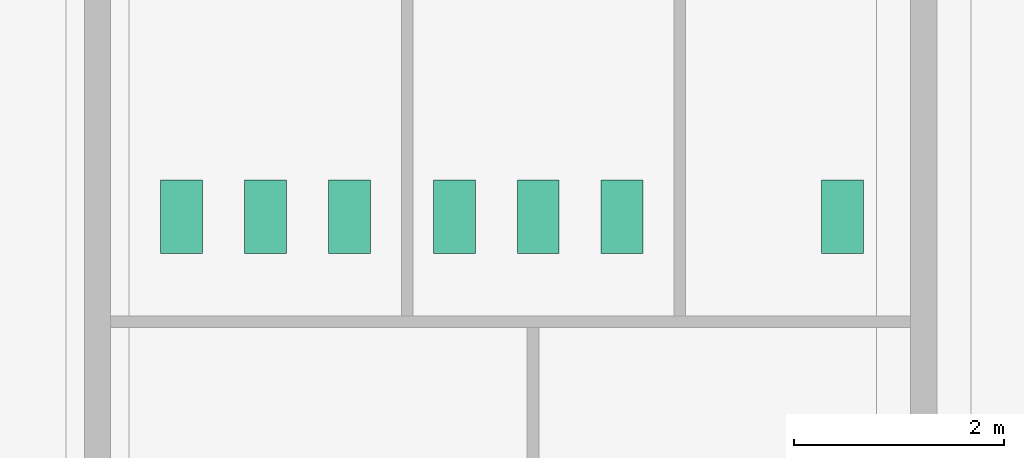
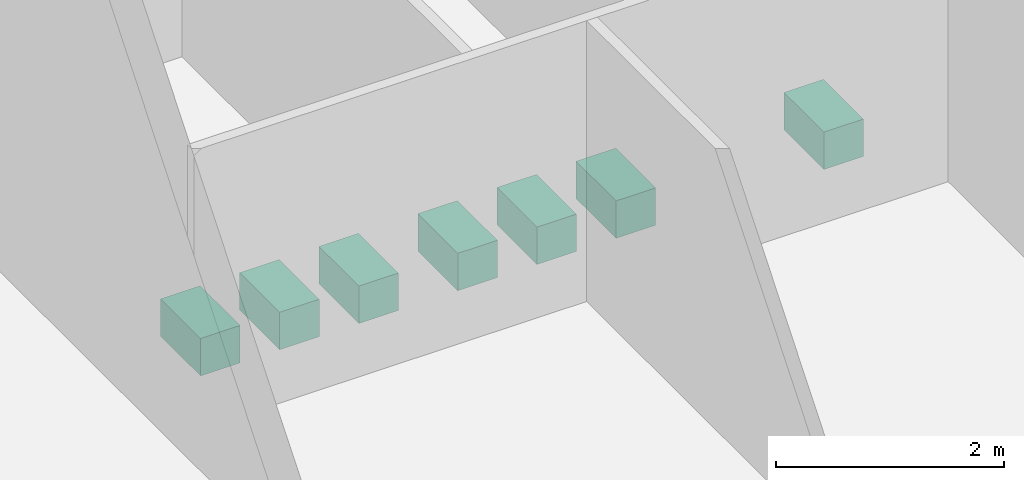
# One storey, part 111 of 112: 7 sanitary terminals.
"""IFC4 building model written with IfcOpenShell, lengths in metres."""

from ifc_helpers import new_model, si_unit, direction, frame, origin, origin_2d, place, context, subcontext, project, spatial, rectangle, extrude, element, save


model = new_model("IFC4")

# Units and contexts
model_context = context("Model", 3, precision=1e-05, world=origin(), true_north=direction((0.0, 1.0)))
body_context = subcontext(model_context, "Body", "Model", "MODEL_VIEW")
ifc_project = project(units=[si_unit("LENGTHUNIT", "METRE"), si_unit("AREAUNIT", "SQUARE_METRE"), si_unit("VOLUMEUNIT", "CUBIC_METRE"), si_unit("PLANEANGLEUNIT", "RADIAN"), si_unit("MASSUNIT", "GRAM", prefix="KILO")], contexts=[model_context])

# Site, building, storey
site_placement = place(None, origin())
site = spatial("IfcSite", under=ifc_project, at=site_placement, CompositionType="ELEMENT")
building_placement = place(site_placement, origin())
building = spatial("IfcBuilding", under=site, at=building_placement, Name="Ridgestep Commons", CompositionType="ELEMENT")
storey_placement = place(building_placement, origin())
storey = spatial("IfcBuildingStorey", under=building, at=storey_placement, Name="L00", CompositionType="ELEMENT", Elevation=0.0)

# Sanitary terminals
for number, where, z_axis, x_axis, name in (
    (1, (224.60009765625, 41.85009765625, 0.0), (0.0, 0.0, 1.0), (1.0, 0.0, 0.0), "Toilet pan"),
    (2, (225.39990234375, 41.85009765625, 0.0), (0.0, 0.0, 1.0), (1.0, 0.0, 0.0), "Toilet pan"),
    (3, (226.199951171875, 41.85009765625, 0.0), (0.0, 0.0, 1.0), (1.0, 0.0, 0.0), "Toilet pan"),
    (4, (227.199951171875, 41.85009765625, 0.0), (0.0, 0.0, 1.0), (1.0, 0.0, 0.0), "Toilet pan"),
    (5, (228.0, 41.85009765625, 0.0), (0.0, 0.0, 1.0), (1.0, 0.0, 0.0), "Toilet pan"),
    (6, (228.800048828125, 41.85009765625, 0.0), (0.0, 0.0, 1.0), (1.0, 0.0, 0.0), "Toilet pan"),
    (7, (230.89990234375, 41.85009765625, 0.0), (0.0, 0.0, 1.0), (1.0, 0.0, 0.0), "Toilet pan"),
):
    element("IfcSanitaryTerminal", number, at=place(storey_placement, frame(where, z_axis=z_axis, x_axis=x_axis)), inside=storey, Name=name, PredefinedType="TOILETPAN", context=body_context, shape_type="SweptSolid", body=[
        extrude(rectangle(XDim=0.39990234375, YDim=0.699951171875, at=origin_2d()), origin(), (0.0, 0.0, 1.0), 0.39990234375),
    ])

save(model, "model.ifc")
